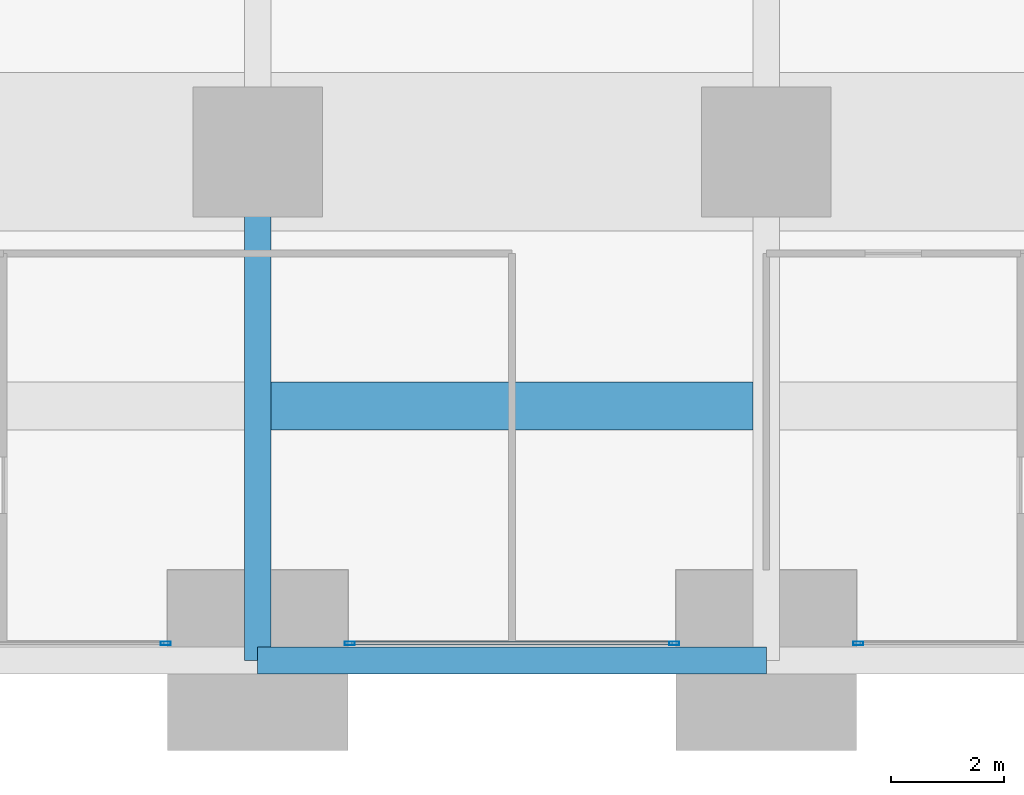
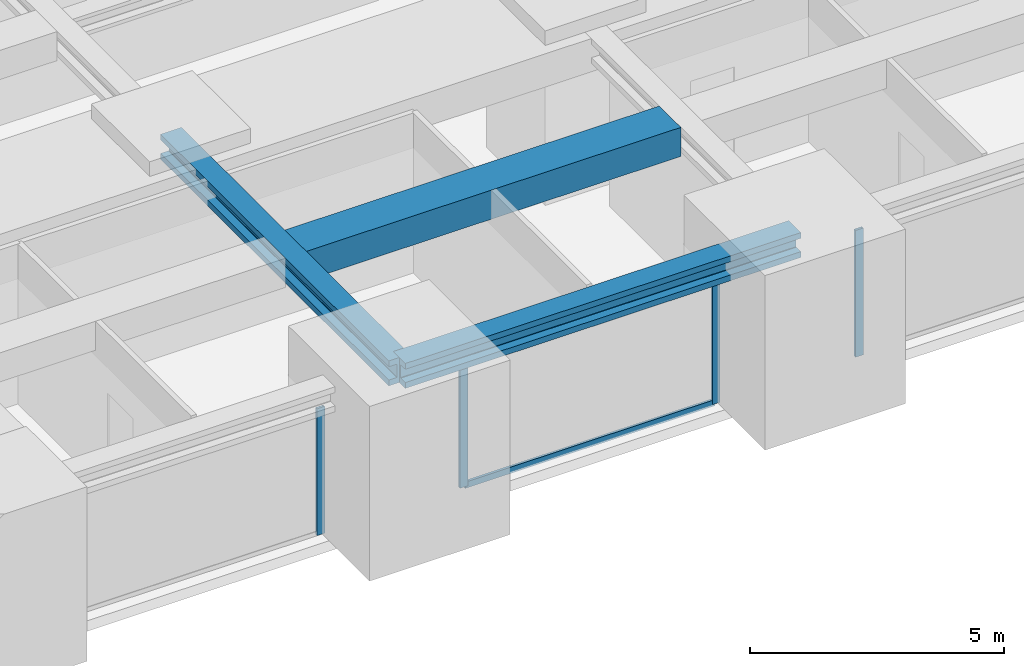
# One storey, part 6 of 42: 5 members, 3 beams, 3 elements without a shape of their own.
"""IFC4 building model written with IfcOpenShell, lengths in metres."""

from ifc_helpers import new_model, si_unit, direction, frame, origin, origin_2d, place, context, subcontext, project, spatial, rectangle, hollow_rectangle, i_section, extrude, material, material_profile, profile_set, type_object, element, aggregate, save


model = new_model("IFC4")

# Units and contexts
model_context = context("Model", 3, precision=1e-05, world=origin(), true_north=direction((0.0, 1.0)))
body_context = subcontext(model_context, "Body", "Model", "MODEL_VIEW")
ifc_project = project(units=[si_unit("LENGTHUNIT", "METRE"), si_unit("AREAUNIT", "SQUARE_METRE"), si_unit("VOLUMEUNIT", "CUBIC_METRE"), si_unit("PLANEANGLEUNIT", "RADIAN"), si_unit("MASSUNIT", "GRAM", prefix="KILO")], contexts=[model_context])

# Site, building, storey
site_placement = place(None, origin())
site = spatial("IfcSite", under=ifc_project, at=site_placement, CompositionType="ELEMENT")
building_placement = place(site_placement, origin())
building = spatial("IfcBuilding", under=site, at=building_placement, Name="Zorevar Civic Tower", CompositionType="ELEMENT")
storey_placement = place(building_placement, frame((0.0, 0.0, 75.800048828125)))
storey = spatial("IfcBuildingStorey", under=building, at=storey_placement, Name="L18", CompositionType="ELEMENT", Elevation=75.800048828125)

# Beams
ifc_material_1 = material(Name="Concrete C50/60", Category="concrete")
ifc_material_profile_1 = material_profile(ifc_material_1, rectangle(XDim=0.85009765625, YDim=0.699951171875, at=origin_2d()), Name="RC 850x700")
ifc_profile_set_1 = profile_set([ifc_material_profile_1], Name="Concrete C50/60")
beam_type_1 = type_object("IfcBeamType", Name="Beam RC 850x700", PredefinedType="BEAM", material=ifc_profile_set_1)
beam_1_placement = place(storey_placement, frame((18.238037109375, 4.5, 3.5), z_axis=(1.0, 0.0, 0.0), x_axis=(0.0, 1.0, 0.0)))
element("IfcBeam", 1, at=beam_1_placement, inside=storey, type_object=beam_type_1, Name="Secondary beam L19", PredefinedType="BEAM", context=body_context, shape_type="SweptSolid", body=[
    extrude(rectangle(XDim=0.85009765625, YDim=0.699951171875, at=origin_2d()), origin(), (0.0, 0.0, 1.0), 8.52392578125),
])
ifc_material_2 = material(Name="Steel S460M (HISTAR 460)", Category="steel")
ifc_material_profile_2 = material_profile(ifc_material_2, i_section(OverallWidth=0.47607421875, OverallDepth=0.60009765625, WebThickness=0.10009765625, FlangeThickness=0.139892578125, FilletRadius=0.014892578125, at=origin_2d()), Name="HD 400x1299")
ifc_profile_set_2 = profile_set([ifc_material_profile_2], Name="Steel S460M (HISTAR 460)")
beam_type_2 = type_object("IfcBeamType", Name="Belt chord HD 400x1299", PredefinedType="BEAM", material=ifc_profile_set_2)
beam_2_placement = place(storey_placement, frame((18.0, 0.0, 3.550048828125), z_axis=(1.0, 0.0, 0.0), x_axis=(0.0, 1.0, 0.0)))
element("IfcBeam", 2, at=beam_2_placement, inside=storey, type_object=beam_type_2, Name="Belt chord L19", PredefinedType="BEAM", context=body_context, shape_type="SweptSolid", body=[
    extrude(i_section(OverallWidth=0.47607421875, OverallDepth=0.60009765625, WebThickness=0.10009765625, FlangeThickness=0.139892578125, FilletRadius=0.014892578125, at=origin_2d()), origin(), (0.0, 0.0, 1.0), 9.0),
])

# Curtain wall, member
ifc_material_3 = material(Name="Dark grey solar-control glass in black aluminium frame", Category="aluminium")
curtain_wall_type = type_object("IfcCurtainWallType", Name="Curtain wall CW2 low zone", PredefinedType="NOTDEFINED", material=ifc_material_3)
curtain_wall_1_placement = place(storey_placement, origin())
curtain_wall_1 = element("IfcCurtainWall", 3, at=curtain_wall_1_placement, inside=storey, type_object=curtain_wall_type, Name="CW2 L18", PredefinedType="NOTDEFINED")
ifc_material_4 = material(Name="Aluminium, black anodised", Category="aluminium")
ifc_material_profile_3 = material_profile(ifc_material_4, hollow_rectangle(XDim=0.06005859375, YDim=0.179931640625, WallThickness=0.00390625, at=origin_2d()), Name="AL 180x60x4")
ifc_profile_set_3 = profile_set([ifc_material_profile_3], Name="Aluminium, black anodised")
member_type_1 = type_object("IfcMemberType", Name="CW2 mullion AL 180x60x4", PredefinedType="MULLION", material=ifc_profile_set_3)
member_1_placement = place(storey_placement, frame((16.3701171875, 0.300048828125, 0.0), z_axis=(0.0, 0.0, 1.0), x_axis=(0.0, 1.0, 0.0)))
member_1 = element("IfcMember", 4, at=member_1_placement, type_object=member_type_1, Name="CW2 mullion 2", PredefinedType="MULLION", context=body_context, shape_type="SweptSolid", body=[
    extrude(hollow_rectangle(XDim=0.06005859375, YDim=0.179931640625, WallThickness=0.00390625, at=origin_2d()), origin(), (0.0, 0.0, 1.0), 3.050048828125),
])
aggregate(curtain_wall_1, [member_1])

# Curtain wall, members
curtain_wall_2_placement = place(storey_placement, origin())
curtain_wall_2 = element("IfcCurtainWall", 5, at=curtain_wall_2_placement, inside=storey, type_object=curtain_wall_type, Name="CW2 L18", PredefinedType="NOTDEFINED")
member_2_placement = place(storey_placement, frame((19.6298828125, 0.300048828125, 0.0), z_axis=(0.0, 0.0, 1.0), x_axis=(0.0, 1.0, 0.0)))
member_2 = element("IfcMember", 6, at=member_2_placement, type_object=member_type_1, Name="CW2 mullion 1", PredefinedType="MULLION", context=body_context, shape_type="SweptSolid", body=[
    extrude(hollow_rectangle(XDim=0.06005859375, YDim=0.179931640625, WallThickness=0.00390625, at=origin_2d()), origin(), (0.0, 0.0, 1.0), 3.050048828125),
])
member_3_placement = place(storey_placement, frame((25.3701171875, 0.300048828125, 0.0), z_axis=(0.0, 0.0, 1.0), x_axis=(0.0, 1.0, 0.0)))
member_3 = element("IfcMember", 7, at=member_3_placement, type_object=member_type_1, Name="CW2 mullion 2", PredefinedType="MULLION", context=body_context, shape_type="SweptSolid", body=[
    extrude(hollow_rectangle(XDim=0.06005859375, YDim=0.179931640625, WallThickness=0.00390625, at=origin_2d()), origin(), (0.0, 0.0, 1.0), 3.050048828125),
])

# Curtain wall, member
curtain_wall_3_placement = place(storey_placement, origin())
curtain_wall_3 = element("IfcCurtainWall", 8, at=curtain_wall_3_placement, inside=storey, type_object=curtain_wall_type, Name="CW2 L18", PredefinedType="NOTDEFINED")
member_4_placement = place(storey_placement, frame((28.6298828125, 0.300048828125, 0.0), z_axis=(0.0, 0.0, 1.0), x_axis=(0.0, 1.0, 0.0)))
member_4 = element("IfcMember", 9, at=member_4_placement, type_object=member_type_1, Name="CW2 mullion 1", PredefinedType="MULLION", context=body_context, shape_type="SweptSolid", body=[
    extrude(hollow_rectangle(XDim=0.06005859375, YDim=0.179931640625, WallThickness=0.00390625, at=origin_2d()), origin(), (0.0, 0.0, 1.0), 3.050048828125),
])
aggregate(curtain_wall_3, [member_4])

# Member
ifc_material_5 = material(Name="Aluminium, black anodised", Category="aluminium")
ifc_material_profile_4 = material_profile(ifc_material_5, hollow_rectangle(XDim=0.06005859375, YDim=0.14990234375, WallThickness=0.00390625, at=origin_2d()), Name="AL 150x60x4")
ifc_profile_set_4 = profile_set([ifc_material_profile_4], Name="Aluminium, black anodised")
member_type_2 = type_object("IfcMemberType", Name="CW2 transom AL 150x60x4", PredefinedType="USERDEFINED", material=ifc_profile_set_4)
member_5_placement = place(storey_placement, frame((19.659912109375, 0.300048828125, 0.030029296875), z_axis=(1.0, 0.0, 0.0), x_axis=(0.0, 1.0, 0.0)))
member_5 = element("IfcMember", 10, at=member_5_placement, type_object=member_type_2, Name="CW2 sill transom", ObjectType="TRANSOM", PredefinedType="USERDEFINED", context=body_context, shape_type="SweptSolid", body=[
    extrude(hollow_rectangle(XDim=0.06005859375, YDim=0.14990234375, WallThickness=0.00390625, at=origin_2d()), origin(), (0.0, 0.0, 1.0), 5.68017578125),
])

aggregate(curtain_wall_2, [member_2, member_3, member_5])

# Beam
ifc_material_6 = material(Name="Steel S460M (HISTAR 460)", Category="steel")
ifc_material_profile_5 = material_profile(ifc_material_6, i_section(OverallWidth=0.47607421875, OverallDepth=0.60009765625, WebThickness=0.10009765625, FlangeThickness=0.139892578125, FilletRadius=0.014892578125, at=origin_2d()), Name="HD 400x1299")
ifc_profile_set_5 = profile_set([ifc_material_profile_5], Name="Steel S460M (HISTAR 460)")
beam_type_3 = type_object("IfcBeamType", Name="Outrigger chord HD 400x1299", PredefinedType="BEAM", material=ifc_profile_set_5)
beam_3_placement = place(storey_placement, frame((18.0, 0.0, 3.550048828125), z_axis=(0.0, 1.0, 0.0), x_axis=(-1.0, 0.0, 0.0)))
element("IfcBeam", 11, at=beam_3_placement, inside=storey, type_object=beam_type_3, Name="Outrigger chord L19", PredefinedType="BEAM", context=body_context, shape_type="SweptSolid", body=[
    extrude(i_section(OverallWidth=0.47607421875, OverallDepth=0.60009765625, WebThickness=0.10009765625, FlangeThickness=0.139892578125, FilletRadius=0.014892578125, at=origin_2d()), origin(), (0.0, 0.0, 1.0), 9.0),
])

save(model, "model.ifc")
